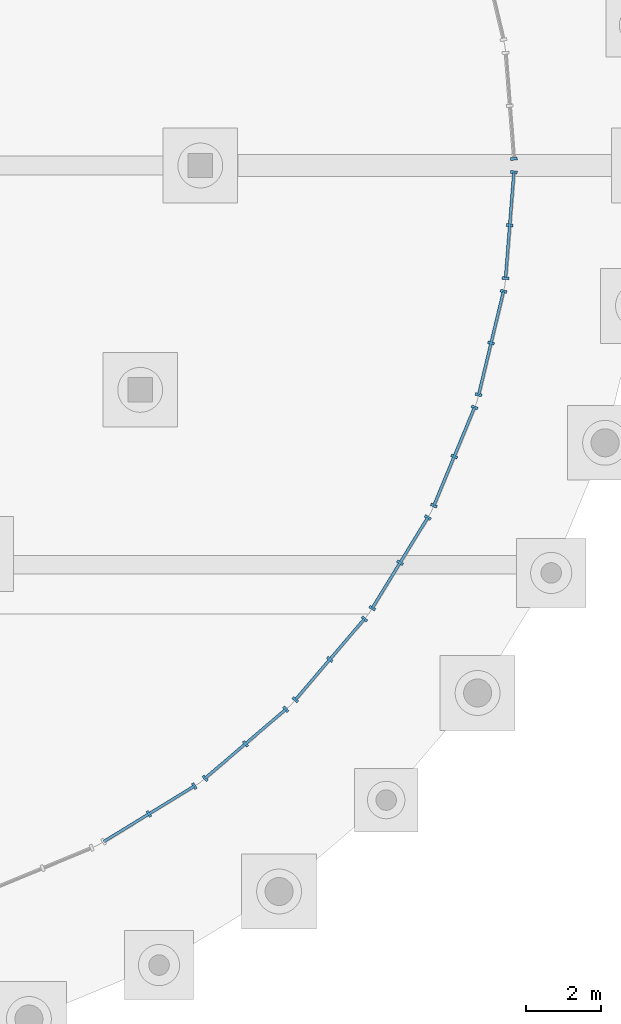
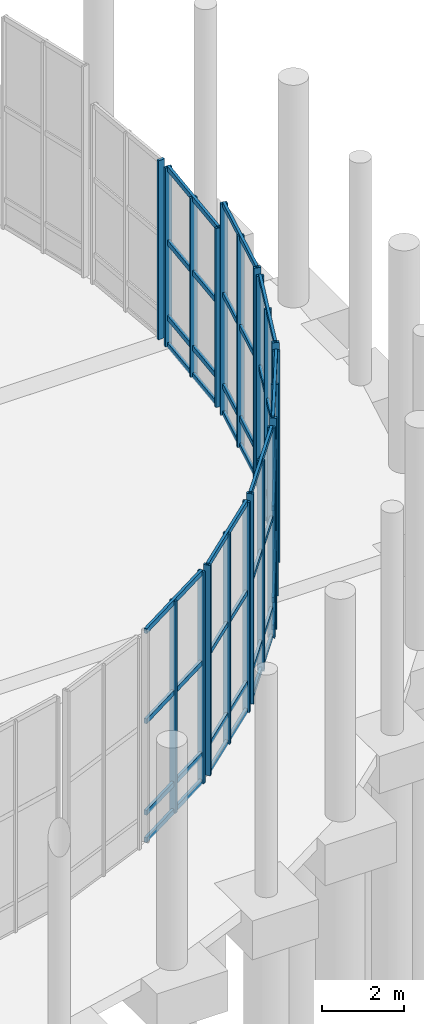
# One storey, part 58 of 117: 49 members, 8 elements without a shape of their own.
"""IFC4 building model written with IfcOpenShell, lengths in metres."""

from ifc_helpers import new_model, si_unit, direction, frame, origin, origin_2d, place, context, subcontext, project, spatial, rectangle, extrude, material, material_profile, profile_set, type_object, element, aggregate, save


model = new_model("IFC4")

# Units and contexts
model_context = context("Model", 3, precision=1e-05, world=origin(), true_north=direction((0.0, 1.0)))
body_context = subcontext(model_context, "Body", "Model", "MODEL_VIEW")
ifc_project = project(units=[si_unit("LENGTHUNIT", "METRE"), si_unit("AREAUNIT", "SQUARE_METRE"), si_unit("VOLUMEUNIT", "CUBIC_METRE"), si_unit("PLANEANGLEUNIT", "RADIAN"), si_unit("MASSUNIT", "GRAM", prefix="KILO")], contexts=[model_context])

# Site, building, storey
site_placement = place(None, origin())
site = spatial("IfcSite", under=ifc_project, at=site_placement, CompositionType="ELEMENT")
building_placement = place(site_placement, origin())
building = spatial("IfcBuilding", under=site, at=building_placement, Name="Kamomehara Wholesale Market", CompositionType="ELEMENT")
storey_placement = place(building_placement, origin())
storey = spatial("IfcBuildingStorey", under=building, at=storey_placement, Name="L00", CompositionType="ELEMENT", Elevation=0.0)

# Curtain wall, member
ifc_material_1 = material(Name="Anodised aluminium 6063-T5", Category="aluminium")
curtain_wall_type = type_object("IfcCurtainWallType", Name="CW-UN-07", PredefinedType="NOTDEFINED", material=ifc_material_1)
curtain_wall_1_placement = place(storey_placement, origin())
curtain_wall_1 = element("IfcCurtainWall", 1, at=curtain_wall_1_placement, inside=storey, type_object=curtain_wall_type, Name="Unitised curtain wall CW-038", PredefinedType="NOTDEFINED")
ifc_material_2 = material(Name="Anodised aluminium 6063-T5", Category="aluminium")
ifc_material_profile_1 = material_profile(ifc_material_2, rectangle(XDim=0.074951171875, YDim=0.179931640625, at=origin_2d()), Name="ALU-MUL-75x180")
ifc_profile_set_1 = profile_set([ifc_material_profile_1], Name="Anodised aluminium 6063-T5")
member_type_1 = type_object("IfcMemberType", Name="CW-MUL-180", PredefinedType="MULLION", material=ifc_profile_set_1)
member_1_placement = place(storey_placement, frame((200.385986328125, 132.178955078125, 0.0), z_axis=(0.0, 0.0, 1.0), x_axis=(0.078473015312, -0.99691623814, 0.0)))
member_1 = element("IfcMember", 2, at=member_1_placement, type_object=member_type_1, Name="Mullion CW-038.2", PredefinedType="MULLION", context=body_context, shape_type="SweptSolid", body=[
    extrude(rectangle(XDim=0.074951171875, YDim=0.179931640625, at=origin_2d()), origin(), (0.0, 0.0, 1.0), 5.30810546875),
])
aggregate(curtain_wall_1, [member_1])

# Curtain wall, members
curtain_wall_2_placement = place(storey_placement, origin())
curtain_wall_2 = element("IfcCurtainWall", 3, at=curtain_wall_2_placement, inside=storey, type_object=curtain_wall_type, Name="Unitised curtain wall CW-039", PredefinedType="NOTDEFINED")
member_2_placement = place(storey_placement, frame((200.385986328125, 131.821044921875, 0.0), z_axis=(0.0, 0.0, 1.0), x_axis=(-0.078473015312, -0.99691623814, 0.0)))
member_2 = element("IfcMember", 4, at=member_2_placement, type_object=member_type_1, Name="Mullion CW-039.0", PredefinedType="MULLION", context=body_context, shape_type="SweptSolid", body=[
    extrude(rectangle(XDim=0.074951171875, YDim=0.179931640625, at=origin_2d()), origin(), (0.0, 0.0, 1.0), 5.30810546875),
])
member_3_placement = place(storey_placement, frame((200.27392578125, 130.404052734375, 0.0), z_axis=(0.0, 0.0, 1.0), x_axis=(-0.078473015312, -0.99691623814, 0.0)))
member_3 = element("IfcMember", 5, at=member_3_placement, type_object=member_type_1, Name="Mullion CW-039.1", PredefinedType="MULLION", context=body_context, shape_type="SweptSolid", body=[
    extrude(rectangle(XDim=0.074951171875, YDim=0.179931640625, at=origin_2d()), origin(), (0.0, 0.0, 1.0), 5.30810546875),
])
member_4_placement = place(storey_placement, frame((200.1630859375, 128.988037109375, 0.0), z_axis=(0.0, 0.0, 1.0), x_axis=(-0.078473015312, -0.99691623814, 0.0)))
member_4 = element("IfcMember", 6, at=member_4_placement, type_object=member_type_1, Name="Mullion CW-039.2", PredefinedType="MULLION", context=body_context, shape_type="SweptSolid", body=[
    extrude(rectangle(XDim=0.074951171875, YDim=0.179931640625, at=origin_2d()), origin(), (0.0, 0.0, 1.0), 5.30810546875),
])

curtain_wall_3_placement = place(storey_placement, origin())
curtain_wall_3 = element("IfcCurtainWall", 7, at=curtain_wall_3_placement, inside=storey, type_object=curtain_wall_type, Name="Unitised curtain wall CW-040", PredefinedType="NOTDEFINED")
member_5_placement = place(storey_placement, frame((200.10693359375, 128.634033203125, 0.0), z_axis=(0.0, 0.0, 1.0), x_axis=(-0.233333353333, -0.972396804922, 0.0)))
member_5 = element("IfcMember", 8, at=member_5_placement, type_object=member_type_1, Name="Mullion CW-040.0", PredefinedType="MULLION", context=body_context, shape_type="SweptSolid", body=[
    extrude(rectangle(XDim=0.074951171875, YDim=0.179931640625, at=origin_2d()), origin(), (0.0, 0.0, 1.0), 6.264892578125),
])
member_6_placement = place(storey_placement, frame((199.77490234375, 127.251953125, 0.0), z_axis=(0.0, 0.0, 1.0), x_axis=(-0.233333353333, -0.972396804922, 0.0)))
member_6 = element("IfcMember", 9, at=member_6_placement, type_object=member_type_1, Name="Mullion CW-040.1", PredefinedType="MULLION", context=body_context, shape_type="SweptSolid", body=[
    extrude(rectangle(XDim=0.074951171875, YDim=0.179931640625, at=origin_2d()), origin(), (0.0, 0.0, 1.0), 6.264892578125),
])
member_7_placement = place(storey_placement, frame((199.444091796875, 125.87109375, 0.0), z_axis=(0.0, 0.0, 1.0), x_axis=(-0.233333353333, -0.972396804922, 0.0)))
member_7 = element("IfcMember", 10, at=member_7_placement, type_object=member_type_1, Name="Mullion CW-040.2", PredefinedType="MULLION", context=body_context, shape_type="SweptSolid", body=[
    extrude(rectangle(XDim=0.074951171875, YDim=0.179931640625, at=origin_2d()), origin(), (0.0, 0.0, 1.0), 6.264892578125),
])

curtain_wall_4_placement = place(storey_placement, origin())
curtain_wall_4 = element("IfcCurtainWall", 11, at=curtain_wall_4_placement, inside=storey, type_object=curtain_wall_type, Name="Unitised curtain wall CW-041", PredefinedType="NOTDEFINED")
member_8_placement = place(storey_placement, frame((199.3330078125, 125.530029296875, 0.0), z_axis=(0.0, 0.0, 1.0), x_axis=(-0.382589906914, -0.923918266476, 0.0)))
member_8 = element("IfcMember", 12, at=member_8_placement, type_object=member_type_1, Name="Mullion CW-041.0", PredefinedType="MULLION", context=body_context, shape_type="SweptSolid", body=[
    extrude(rectangle(XDim=0.074951171875, YDim=0.179931640625, at=origin_2d()), origin(), (0.0, 0.0, 1.0), 6.264892578125),
])
member_9_placement = place(storey_placement, frame((198.7900390625, 124.218017578125, 0.0), z_axis=(0.0, 0.0, 1.0), x_axis=(-0.382589906914, -0.923918266476, 0.0)))
member_9 = element("IfcMember", 13, at=member_9_placement, type_object=member_type_1, Name="Mullion CW-041.1", PredefinedType="MULLION", context=body_context, shape_type="SweptSolid", body=[
    extrude(rectangle(XDim=0.074951171875, YDim=0.179931640625, at=origin_2d()), origin(), (0.0, 0.0, 1.0), 6.264892578125),
])
member_10_placement = place(storey_placement, frame((198.24609375, 122.905029296875, 0.0), z_axis=(0.0, 0.0, 1.0), x_axis=(-0.382589906914, -0.923918266476, 0.0)))
member_10 = element("IfcMember", 14, at=member_10_placement, type_object=member_type_1, Name="Mullion CW-041.2", PredefinedType="MULLION", context=body_context, shape_type="SweptSolid", body=[
    extrude(rectangle(XDim=0.074951171875, YDim=0.179931640625, at=origin_2d()), origin(), (0.0, 0.0, 1.0), 6.264892578125),
])

curtain_wall_5_placement = place(storey_placement, origin())
curtain_wall_5 = element("IfcCurtainWall", 15, at=curtain_wall_5_placement, inside=storey, type_object=curtain_wall_type, Name="Unitised curtain wall CW-042", PredefinedType="NOTDEFINED")
member_11_placement = place(storey_placement, frame((198.0830078125, 122.5859375, 0.0), z_axis=(0.0, 0.0, 1.0), x_axis=(-0.52238843816, -0.852707640213, 0.0)))
member_11 = element("IfcMember", 16, at=member_11_placement, type_object=member_type_1, Name="Mullion CW-042.0", PredefinedType="MULLION", context=body_context, shape_type="SweptSolid", body=[
    extrude(rectangle(XDim=0.074951171875, YDim=0.179931640625, at=origin_2d()), origin(), (0.0, 0.0, 1.0), 6.264892578125),
])
member_12_placement = place(storey_placement, frame((197.341064453125, 121.3740234375, 0.0), z_axis=(0.0, 0.0, 1.0), x_axis=(-0.52238843816, -0.852707640213, 0.0)))
member_12 = element("IfcMember", 17, at=member_12_placement, type_object=member_type_1, Name="Mullion CW-042.1", PredefinedType="MULLION", context=body_context, shape_type="SweptSolid", body=[
    extrude(rectangle(XDim=0.074951171875, YDim=0.179931640625, at=origin_2d()), origin(), (0.0, 0.0, 1.0), 6.264892578125),
])
member_13_placement = place(storey_placement, frame((196.597900390625, 120.162109375, 0.0), z_axis=(0.0, 0.0, 1.0), x_axis=(-0.52238843816, -0.852707640213, 0.0)))
member_13 = element("IfcMember", 18, at=member_13_placement, type_object=member_type_1, Name="Mullion CW-042.2", PredefinedType="MULLION", context=body_context, shape_type="SweptSolid", body=[
    extrude(rectangle(XDim=0.074951171875, YDim=0.179931640625, at=origin_2d()), origin(), (0.0, 0.0, 1.0), 6.264892578125),
])

curtain_wall_6_placement = place(storey_placement, origin())
curtain_wall_6 = element("IfcCurtainWall", 19, at=curtain_wall_6_placement, inside=storey, type_object=curtain_wall_type, Name="Unitised curtain wall CW-043", PredefinedType="NOTDEFINED")
member_14_placement = place(storey_placement, frame((196.386962890625, 119.8720703125, 0.0), z_axis=(0.0, 0.0, 1.0), x_axis=(-0.649485208, -0.760374226673, 0.0)))
member_14 = element("IfcMember", 20, at=member_14_placement, type_object=member_type_1, Name="Mullion CW-043.0", PredefinedType="MULLION", context=body_context, shape_type="SweptSolid", body=[
    extrude(rectangle(XDim=0.074951171875, YDim=0.179931640625, at=origin_2d()), origin(), (0.0, 0.0, 1.0), 6.235107421875),
])
member_15_placement = place(storey_placement, frame((195.464111328125, 118.7919921875, 0.0), z_axis=(0.0, 0.0, 1.0), x_axis=(-0.649485208, -0.760374226673, 0.0)))
member_15 = element("IfcMember", 21, at=member_15_placement, type_object=member_type_1, Name="Mullion CW-043.1", PredefinedType="MULLION", context=body_context, shape_type="SweptSolid", body=[
    extrude(rectangle(XDim=0.074951171875, YDim=0.179931640625, at=origin_2d()), origin(), (0.0, 0.0, 1.0), 6.235107421875),
])
member_16_placement = place(storey_placement, frame((194.5419921875, 117.7119140625, 0.0), z_axis=(0.0, 0.0, 1.0), x_axis=(-0.649485208, -0.760374226673, 0.0)))
member_16 = element("IfcMember", 22, at=member_16_placement, type_object=member_type_1, Name="Mullion CW-043.2", PredefinedType="MULLION", context=body_context, shape_type="SweptSolid", body=[
    extrude(rectangle(XDim=0.074951171875, YDim=0.179931640625, at=origin_2d()), origin(), (0.0, 0.0, 1.0), 6.235107421875),
])

curtain_wall_7_placement = place(storey_placement, origin())
curtain_wall_7 = element("IfcCurtainWall", 23, at=curtain_wall_7_placement, inside=storey, type_object=curtain_wall_type, Name="Unitised curtain wall CW-044", PredefinedType="NOTDEFINED")
member_17_placement = place(storey_placement, frame((194.2880859375, 117.4580078125, 0.0), z_axis=(0.0, 0.0, 1.0), x_axis=(-0.760374226673, -0.649485208, 0.0)))
member_17 = element("IfcMember", 24, at=member_17_placement, type_object=member_type_1, Name="Mullion CW-044.0", PredefinedType="MULLION", context=body_context, shape_type="SweptSolid", body=[
    extrude(rectangle(XDim=0.074951171875, YDim=0.179931640625, at=origin_2d()), origin(), (0.0, 0.0, 1.0), 6.235107421875),
])
member_18_placement = place(storey_placement, frame((193.2080078125, 116.534912109375, 0.0), z_axis=(0.0, 0.0, 1.0), x_axis=(-0.760374226673, -0.649485208, 0.0)))
member_18 = element("IfcMember", 25, at=member_18_placement, type_object=member_type_1, Name="Mullion CW-044.1", PredefinedType="MULLION", context=body_context, shape_type="SweptSolid", body=[
    extrude(rectangle(XDim=0.074951171875, YDim=0.179931640625, at=origin_2d()), origin(), (0.0, 0.0, 1.0), 6.235107421875),
])
member_19_placement = place(storey_placement, frame((192.1279296875, 115.613037109375, 0.0), z_axis=(0.0, 0.0, 1.0), x_axis=(-0.760374226673, -0.649485208, 0.0)))
member_19 = element("IfcMember", 26, at=member_19_placement, type_object=member_type_1, Name="Mullion CW-044.2", PredefinedType="MULLION", context=body_context, shape_type="SweptSolid", body=[
    extrude(rectangle(XDim=0.074951171875, YDim=0.179931640625, at=origin_2d()), origin(), (0.0, 0.0, 1.0), 6.235107421875),
])

curtain_wall_8_placement = place(storey_placement, origin())
curtain_wall_8 = element("IfcCurtainWall", 27, at=curtain_wall_8_placement, inside=storey, type_object=curtain_wall_type, Name="Unitised curtain wall CW-045", PredefinedType="NOTDEFINED")
member_20_placement = place(storey_placement, frame((191.837890625, 115.402099609375, 0.0), z_axis=(0.0, 0.0, 1.0), x_axis=(-0.852707640213, -0.52238843816, 0.0)))
member_20 = element("IfcMember", 28, at=member_20_placement, type_object=member_type_1, Name="Mullion CW-045.0", PredefinedType="MULLION", context=body_context, shape_type="SweptSolid", body=[
    extrude(rectangle(XDim=0.074951171875, YDim=0.179931640625, at=origin_2d()), origin(), (0.0, 0.0, 1.0), 6.27490234375),
])
member_21_placement = place(storey_placement, frame((190.6259765625, 114.659912109375, 0.0), z_axis=(0.0, 0.0, 1.0), x_axis=(-0.852707640213, -0.52238843816, 0.0)))
member_21 = element("IfcMember", 29, at=member_21_placement, type_object=member_type_1, Name="Mullion CW-045.1", PredefinedType="MULLION", context=body_context, shape_type="SweptSolid", body=[
    extrude(rectangle(XDim=0.074951171875, YDim=0.179931640625, at=origin_2d()), origin(), (0.0, 0.0, 1.0), 6.27490234375),
])

# Member
ifc_material_3 = material(Name="Anodised aluminium 6063-T5", Category="aluminium")
ifc_material_profile_2 = material_profile(ifc_material_3, rectangle(XDim=0.074951171875, YDim=0.14990234375, at=origin_2d()), Name="ALU-TRN-75x150")
ifc_profile_set_2 = profile_set([ifc_material_profile_2], Name="Anodised aluminium 6063-T5")
member_type_2 = type_object("IfcMemberType", Name="CW-TRN-150", PredefinedType="USERDEFINED", material=ifc_profile_set_2)
member_22_placement = place(storey_placement, frame((200.385986328125, 131.821044921875, 0.0400390625), z_axis=(-0.078437356733, -0.996919044391, 0.0), x_axis=(0.996919044391, -0.078437356733, 0.0)))
member_22 = element("IfcMember", 30, at=member_22_placement, type_object=member_type_2, Name="Transom CW-039.0", ObjectType="TRANSOM", PredefinedType="USERDEFINED", context=body_context, shape_type="SweptSolid", body=[
    extrude(rectangle(XDim=0.074951171875, YDim=0.14990234375, at=origin_2d()), origin(), (0.0, 0.0, 1.0), 2.841796875),
])

member_23_placement = place(storey_placement, frame((200.385986328125, 131.821044921875, 0.85009765625), z_axis=(-0.078437356733, -0.996919044391, 0.0), x_axis=(0.996919044391, -0.078437356733, 0.0)))
member_23 = element("IfcMember", 31, at=member_23_placement, type_object=member_type_2, Name="Transom CW-039.1", ObjectType="TRANSOM", PredefinedType="USERDEFINED", context=body_context, shape_type="SweptSolid", body=[
    extrude(rectangle(XDim=0.074951171875, YDim=0.14990234375, at=origin_2d()), origin(), (0.0, 0.0, 1.0), 2.841796875),
])

member_24_placement = place(storey_placement, frame((200.385986328125, 131.821044921875, 3.0791015625), z_axis=(-0.078437356733, -0.996919044391, 0.0), x_axis=(0.996919044391, -0.078437356733, 0.0)))
member_24 = element("IfcMember", 32, at=member_24_placement, type_object=member_type_2, Name="Transom CW-039.2", ObjectType="TRANSOM", PredefinedType="USERDEFINED", context=body_context, shape_type="SweptSolid", body=[
    extrude(rectangle(XDim=0.074951171875, YDim=0.14990234375, at=origin_2d()), origin(), (0.0, 0.0, 1.0), 2.841796875),
])

member_25_placement = place(storey_placement, frame((200.385986328125, 131.821044921875, 5.26806640625), z_axis=(-0.078437356733, -0.996919044391, 0.0), x_axis=(0.996919044391, -0.078437356733, 0.0)))
member_25 = element("IfcMember", 33, at=member_25_placement, type_object=member_type_2, Name="Transom CW-039.3", ObjectType="TRANSOM", PredefinedType="USERDEFINED", context=body_context, shape_type="SweptSolid", body=[
    extrude(rectangle(XDim=0.074951171875, YDim=0.14990234375, at=origin_2d()), origin(), (0.0, 0.0, 1.0), 2.841796875),
])

aggregate(curtain_wall_2, [member_2, member_3, member_4, member_22, member_23, member_24, member_25])

member_26_placement = place(storey_placement, frame((200.10693359375, 128.634033203125, 0.0400390625), z_axis=(-0.23328520707, -0.972408356691, 0.0), x_axis=(0.972408356691, -0.23328520707, 0.0)))
member_26 = element("IfcMember", 34, at=member_26_placement, type_object=member_type_2, Name="Transom CW-040.0", ObjectType="TRANSOM", PredefinedType="USERDEFINED", context=body_context, shape_type="SweptSolid", body=[
    extrude(rectangle(XDim=0.074951171875, YDim=0.14990234375, at=origin_2d()), origin(), (0.0, 0.0, 1.0), 2.84130859375),
])

member_27_placement = place(storey_placement, frame((200.10693359375, 128.634033203125, 0.85009765625), z_axis=(-0.23328520707, -0.972408356691, 0.0), x_axis=(0.972408356691, -0.23328520707, 0.0)))
member_27 = element("IfcMember", 35, at=member_27_placement, type_object=member_type_2, Name="Transom CW-040.1", ObjectType="TRANSOM", PredefinedType="USERDEFINED", context=body_context, shape_type="SweptSolid", body=[
    extrude(rectangle(XDim=0.074951171875, YDim=0.14990234375, at=origin_2d()), origin(), (0.0, 0.0, 1.0), 2.84130859375),
])

member_28_placement = place(storey_placement, frame((200.10693359375, 128.634033203125, 3.556884765625), z_axis=(-0.23328520707, -0.972408356691, 0.0), x_axis=(0.972408356691, -0.23328520707, 0.0)))
member_28 = element("IfcMember", 36, at=member_28_placement, type_object=member_type_2, Name="Transom CW-040.2", ObjectType="TRANSOM", PredefinedType="USERDEFINED", context=body_context, shape_type="SweptSolid", body=[
    extrude(rectangle(XDim=0.074951171875, YDim=0.14990234375, at=origin_2d()), origin(), (0.0, 0.0, 1.0), 2.84130859375),
])

member_29_placement = place(storey_placement, frame((200.10693359375, 128.634033203125, 6.22509765625), z_axis=(-0.23328520707, -0.972408356691, 0.0), x_axis=(0.972408356691, -0.23328520707, 0.0)))
member_29 = element("IfcMember", 37, at=member_29_placement, type_object=member_type_2, Name="Transom CW-040.3", ObjectType="TRANSOM", PredefinedType="USERDEFINED", context=body_context, shape_type="SweptSolid", body=[
    extrude(rectangle(XDim=0.074951171875, YDim=0.14990234375, at=origin_2d()), origin(), (0.0, 0.0, 1.0), 2.84130859375),
])

aggregate(curtain_wall_3, [member_5, member_6, member_7, member_26, member_27, member_28, member_29])

member_30_placement = place(storey_placement, frame((199.3330078125, 125.530029296875, 0.0400390625), z_axis=(-0.382564297979, -0.923928870591, 0.0), x_axis=(0.923928870591, -0.382564297979, 0.0)))
member_30 = element("IfcMember", 38, at=member_30_placement, type_object=member_type_2, Name="Transom CW-041.0", ObjectType="TRANSOM", PredefinedType="USERDEFINED", context=body_context, shape_type="SweptSolid", body=[
    extrude(rectangle(XDim=0.074951171875, YDim=0.14990234375, at=origin_2d()), origin(), (0.0, 0.0, 1.0), 2.841064453125),
])

member_31_placement = place(storey_placement, frame((199.3330078125, 125.530029296875, 0.85009765625), z_axis=(-0.382564297979, -0.923928870591, 0.0), x_axis=(0.923928870591, -0.382564297979, 0.0)))
member_31 = element("IfcMember", 39, at=member_31_placement, type_object=member_type_2, Name="Transom CW-041.1", ObjectType="TRANSOM", PredefinedType="USERDEFINED", context=body_context, shape_type="SweptSolid", body=[
    extrude(rectangle(XDim=0.074951171875, YDim=0.14990234375, at=origin_2d()), origin(), (0.0, 0.0, 1.0), 2.841064453125),
])

member_32_placement = place(storey_placement, frame((199.3330078125, 125.530029296875, 3.556884765625), z_axis=(-0.382564297979, -0.923928870591, 0.0), x_axis=(0.923928870591, -0.382564297979, 0.0)))
member_32 = element("IfcMember", 40, at=member_32_placement, type_object=member_type_2, Name="Transom CW-041.2", ObjectType="TRANSOM", PredefinedType="USERDEFINED", context=body_context, shape_type="SweptSolid", body=[
    extrude(rectangle(XDim=0.074951171875, YDim=0.14990234375, at=origin_2d()), origin(), (0.0, 0.0, 1.0), 2.841064453125),
])

member_33_placement = place(storey_placement, frame((199.3330078125, 125.530029296875, 6.22509765625), z_axis=(-0.382564297979, -0.923928870591, 0.0), x_axis=(0.923928870591, -0.382564297979, 0.0)))
member_33 = element("IfcMember", 41, at=member_33_placement, type_object=member_type_2, Name="Transom CW-041.3", ObjectType="TRANSOM", PredefinedType="USERDEFINED", context=body_context, shape_type="SweptSolid", body=[
    extrude(rectangle(XDim=0.074951171875, YDim=0.14990234375, at=origin_2d()), origin(), (0.0, 0.0, 1.0), 2.841064453125),
])

aggregate(curtain_wall_4, [member_8, member_9, member_10, member_30, member_31, member_32, member_33])

member_34_placement = place(storey_placement, frame((198.0830078125, 122.5859375, 0.0400390625), z_axis=(-0.522443229027, -0.852674071638, 0.0), x_axis=(0.852674071638, -0.522443229027, 0.0)))
member_34 = element("IfcMember", 42, at=member_34_placement, type_object=member_type_2, Name="Transom CW-042.0", ObjectType="TRANSOM", PredefinedType="USERDEFINED", context=body_context, shape_type="SweptSolid", body=[
    extrude(rectangle(XDim=0.074951171875, YDim=0.14990234375, at=origin_2d()), origin(), (0.0, 0.0, 1.0), 2.842529296875),
])

member_35_placement = place(storey_placement, frame((198.0830078125, 122.5859375, 0.85009765625), z_axis=(-0.522443229027, -0.852674071638, 0.0), x_axis=(0.852674071638, -0.522443229027, 0.0)))
member_35 = element("IfcMember", 43, at=member_35_placement, type_object=member_type_2, Name="Transom CW-042.1", ObjectType="TRANSOM", PredefinedType="USERDEFINED", context=body_context, shape_type="SweptSolid", body=[
    extrude(rectangle(XDim=0.074951171875, YDim=0.14990234375, at=origin_2d()), origin(), (0.0, 0.0, 1.0), 2.842529296875),
])

member_36_placement = place(storey_placement, frame((198.0830078125, 122.5859375, 3.556884765625), z_axis=(-0.522443229027, -0.852674071638, 0.0), x_axis=(0.852674071638, -0.522443229027, 0.0)))
member_36 = element("IfcMember", 44, at=member_36_placement, type_object=member_type_2, Name="Transom CW-042.2", ObjectType="TRANSOM", PredefinedType="USERDEFINED", context=body_context, shape_type="SweptSolid", body=[
    extrude(rectangle(XDim=0.074951171875, YDim=0.14990234375, at=origin_2d()), origin(), (0.0, 0.0, 1.0), 2.842529296875),
])

member_37_placement = place(storey_placement, frame((198.0830078125, 122.5859375, 6.22509765625), z_axis=(-0.522443229027, -0.852674071638, 0.0), x_axis=(0.852674071638, -0.522443229027, 0.0)))
member_37 = element("IfcMember", 45, at=member_37_placement, type_object=member_type_2, Name="Transom CW-042.3", ObjectType="TRANSOM", PredefinedType="USERDEFINED", context=body_context, shape_type="SweptSolid", body=[
    extrude(rectangle(XDim=0.074951171875, YDim=0.14990234375, at=origin_2d()), origin(), (0.0, 0.0, 1.0), 2.842529296875),
])

aggregate(curtain_wall_5, [member_11, member_12, member_13, member_34, member_35, member_36, member_37])

member_38_placement = place(storey_placement, frame((196.386962890625, 119.8720703125, 0.0400390625), z_axis=(-0.649452724116, -0.760401972076, 0.0), x_axis=(0.760401972076, -0.649452724116, 0.0)))
member_38 = element("IfcMember", 46, at=member_38_placement, type_object=member_type_2, Name="Transom CW-043.0", ObjectType="TRANSOM", PredefinedType="USERDEFINED", context=body_context, shape_type="SweptSolid", body=[
    extrude(rectangle(XDim=0.074951171875, YDim=0.14990234375, at=origin_2d()), origin(), (0.0, 0.0, 1.0), 2.8408203125),
])

member_39_placement = place(storey_placement, frame((196.386962890625, 119.8720703125, 0.85009765625), z_axis=(-0.649452724116, -0.760401972076, 0.0), x_axis=(0.760401972076, -0.649452724116, 0.0)))
member_39 = element("IfcMember", 47, at=member_39_placement, type_object=member_type_2, Name="Transom CW-043.1", ObjectType="TRANSOM", PredefinedType="USERDEFINED", context=body_context, shape_type="SweptSolid", body=[
    extrude(rectangle(XDim=0.074951171875, YDim=0.14990234375, at=origin_2d()), origin(), (0.0, 0.0, 1.0), 2.8408203125),
])

member_40_placement = place(storey_placement, frame((196.386962890625, 119.8720703125, 3.5419921875), z_axis=(-0.649452724116, -0.760401972076, 0.0), x_axis=(0.760401972076, -0.649452724116, 0.0)))
member_40 = element("IfcMember", 48, at=member_40_placement, type_object=member_type_2, Name="Transom CW-043.2", ObjectType="TRANSOM", PredefinedType="USERDEFINED", context=body_context, shape_type="SweptSolid", body=[
    extrude(rectangle(XDim=0.074951171875, YDim=0.14990234375, at=origin_2d()), origin(), (0.0, 0.0, 1.0), 2.8408203125),
])

member_41_placement = place(storey_placement, frame((196.386962890625, 119.8720703125, 6.195068359375), z_axis=(-0.649452724116, -0.760401972076, 0.0), x_axis=(0.760401972076, -0.649452724116, 0.0)))
member_41 = element("IfcMember", 49, at=member_41_placement, type_object=member_type_2, Name="Transom CW-043.3", ObjectType="TRANSOM", PredefinedType="USERDEFINED", context=body_context, shape_type="SweptSolid", body=[
    extrude(rectangle(XDim=0.074951171875, YDim=0.14990234375, at=origin_2d()), origin(), (0.0, 0.0, 1.0), 2.8408203125),
])

aggregate(curtain_wall_6, [member_14, member_15, member_16, member_38, member_39, member_40, member_41])

member_42_placement = place(storey_placement, frame((194.2880859375, 117.4580078125, 0.0400390625), z_axis=(-0.760401972076, -0.649452724116, 0.0), x_axis=(0.649452724116, -0.760401972076, 0.0)))
member_42 = element("IfcMember", 50, at=member_42_placement, type_object=member_type_2, Name="Transom CW-044.0", ObjectType="TRANSOM", PredefinedType="USERDEFINED", context=body_context, shape_type="SweptSolid", body=[
    extrude(rectangle(XDim=0.074951171875, YDim=0.14990234375, at=origin_2d()), origin(), (0.0, 0.0, 1.0), 2.8408203125),
])

member_43_placement = place(storey_placement, frame((194.2880859375, 117.4580078125, 0.85009765625), z_axis=(-0.760401972076, -0.649452724116, 0.0), x_axis=(0.649452724116, -0.760401972076, 0.0)))
member_43 = element("IfcMember", 51, at=member_43_placement, type_object=member_type_2, Name="Transom CW-044.1", ObjectType="TRANSOM", PredefinedType="USERDEFINED", context=body_context, shape_type="SweptSolid", body=[
    extrude(rectangle(XDim=0.074951171875, YDim=0.14990234375, at=origin_2d()), origin(), (0.0, 0.0, 1.0), 2.8408203125),
])

member_44_placement = place(storey_placement, frame((194.2880859375, 117.4580078125, 3.5419921875), z_axis=(-0.760401972076, -0.649452724116, 0.0), x_axis=(0.649452724116, -0.760401972076, 0.0)))
member_44 = element("IfcMember", 52, at=member_44_placement, type_object=member_type_2, Name="Transom CW-044.2", ObjectType="TRANSOM", PredefinedType="USERDEFINED", context=body_context, shape_type="SweptSolid", body=[
    extrude(rectangle(XDim=0.074951171875, YDim=0.14990234375, at=origin_2d()), origin(), (0.0, 0.0, 1.0), 2.8408203125),
])

member_45_placement = place(storey_placement, frame((194.2880859375, 117.4580078125, 6.195068359375), z_axis=(-0.760401972076, -0.649452724116, 0.0), x_axis=(0.649452724116, -0.760401972076, 0.0)))
member_45 = element("IfcMember", 53, at=member_45_placement, type_object=member_type_2, Name="Transom CW-044.3", ObjectType="TRANSOM", PredefinedType="USERDEFINED", context=body_context, shape_type="SweptSolid", body=[
    extrude(rectangle(XDim=0.074951171875, YDim=0.14990234375, at=origin_2d()), origin(), (0.0, 0.0, 1.0), 2.8408203125),
])

aggregate(curtain_wall_7, [member_17, member_18, member_19, member_42, member_43, member_44, member_45])

member_46_placement = place(storey_placement, frame((191.837890625, 115.402099609375, 0.0400390625), z_axis=(-0.852674071638, -0.522443229027, 0.0), x_axis=(0.522443229027, -0.852674071638, 0.0)))
member_46 = element("IfcMember", 54, at=member_46_placement, type_object=member_type_2, Name="Transom CW-045.0", ObjectType="TRANSOM", PredefinedType="USERDEFINED", context=body_context, shape_type="SweptSolid", body=[
    extrude(rectangle(XDim=0.074951171875, YDim=0.14990234375, at=origin_2d()), origin(), (0.0, 0.0, 1.0), 2.842529296875),
])

member_47_placement = place(storey_placement, frame((191.837890625, 115.402099609375, 0.85009765625), z_axis=(-0.852674071638, -0.522443229027, 0.0), x_axis=(0.522443229027, -0.852674071638, 0.0)))
member_47 = element("IfcMember", 55, at=member_47_placement, type_object=member_type_2, Name="Transom CW-045.1", ObjectType="TRANSOM", PredefinedType="USERDEFINED", context=body_context, shape_type="SweptSolid", body=[
    extrude(rectangle(XDim=0.074951171875, YDim=0.14990234375, at=origin_2d()), origin(), (0.0, 0.0, 1.0), 2.842529296875),
])

member_48_placement = place(storey_placement, frame((191.837890625, 115.402099609375, 3.56201171875), z_axis=(-0.852674071638, -0.522443229027, 0.0), x_axis=(0.522443229027, -0.852674071638, 0.0)))
member_48 = element("IfcMember", 56, at=member_48_placement, type_object=member_type_2, Name="Transom CW-045.2", ObjectType="TRANSOM", PredefinedType="USERDEFINED", context=body_context, shape_type="SweptSolid", body=[
    extrude(rectangle(XDim=0.074951171875, YDim=0.14990234375, at=origin_2d()), origin(), (0.0, 0.0, 1.0), 2.842529296875),
])

member_49_placement = place(storey_placement, frame((191.837890625, 115.402099609375, 6.235107421875), z_axis=(-0.852674071638, -0.522443229027, 0.0), x_axis=(0.522443229027, -0.852674071638, 0.0)))
member_49 = element("IfcMember", 57, at=member_49_placement, type_object=member_type_2, Name="Transom CW-045.3", ObjectType="TRANSOM", PredefinedType="USERDEFINED", context=body_context, shape_type="SweptSolid", body=[
    extrude(rectangle(XDim=0.074951171875, YDim=0.14990234375, at=origin_2d()), origin(), (0.0, 0.0, 1.0), 2.842529296875),
])

aggregate(curtain_wall_8, [member_20, member_21, member_46, member_47, member_48, member_49])

save(model, "model.ifc")
